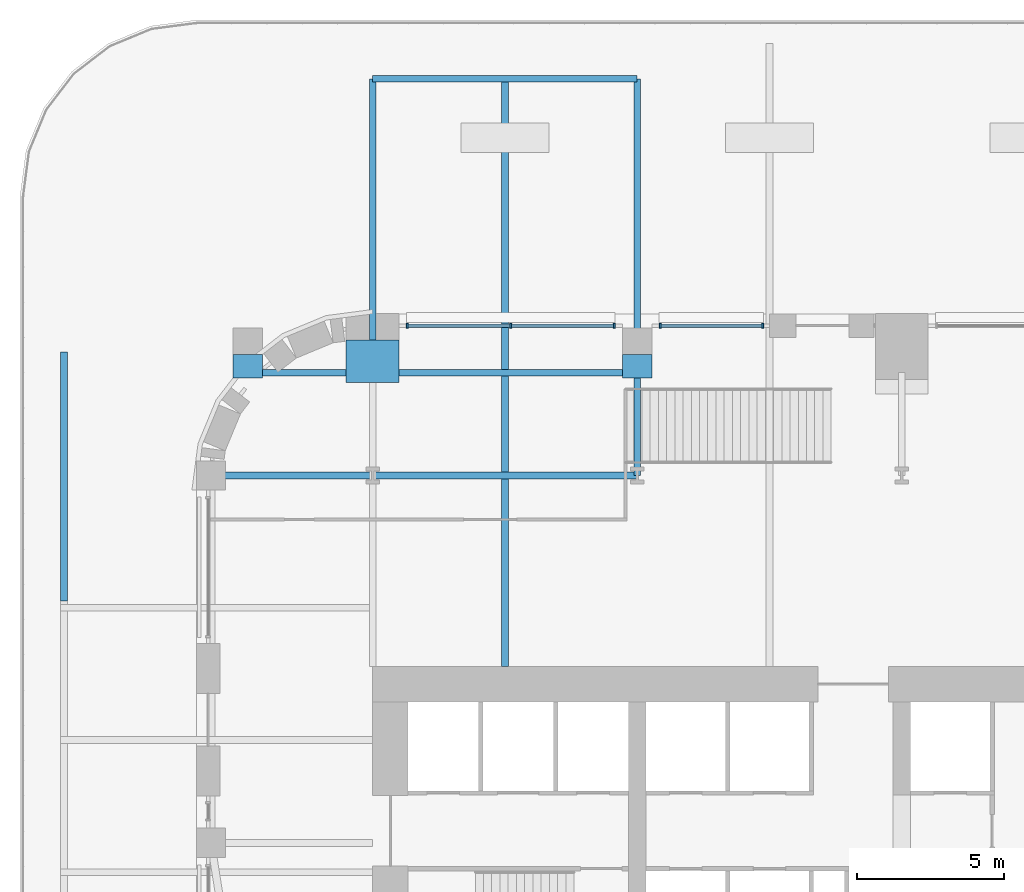
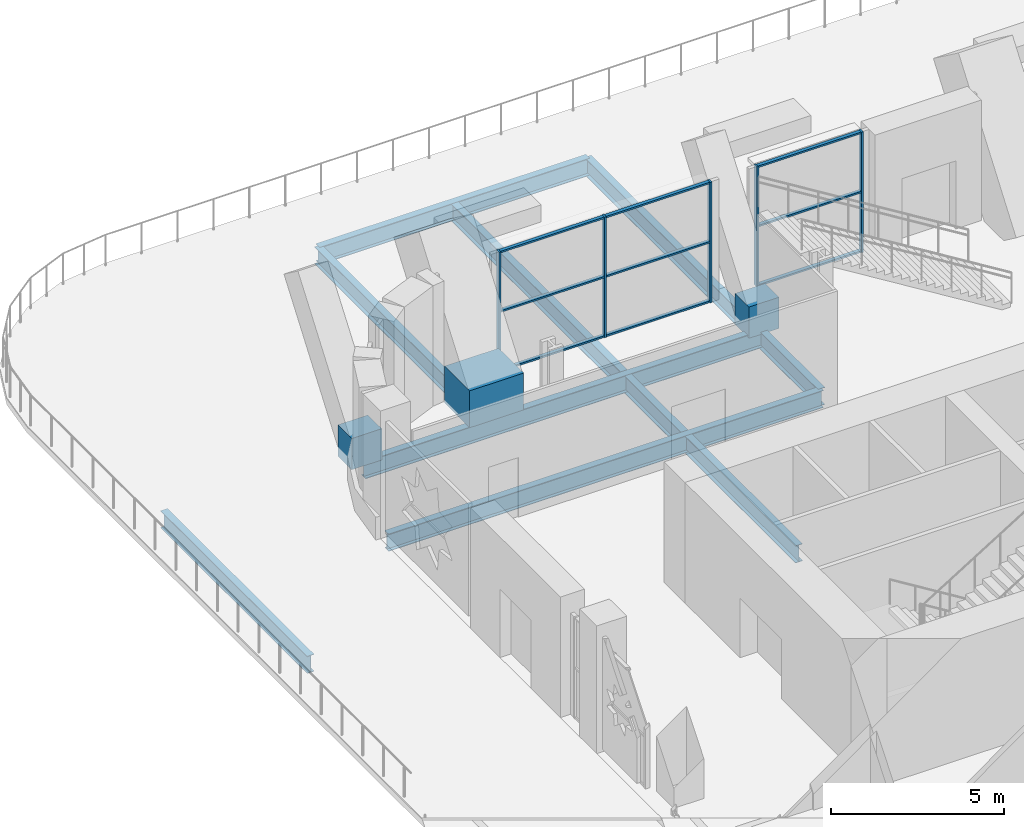
# One storey, part 7 of 26: 14 members, 10 beams, 2 elements without a shape of their own.
"""IFC4 building model written with IfcOpenShell, lengths in metres."""

from ifc_helpers import new_model, si_unit, direction, frame, origin, origin_2d, place, context, subcontext, project, spatial, rectangle, i_section, extrude, material, material_profile, profile_set, type_object, element, aggregate, save


model = new_model("IFC4")

# Units and contexts
model_context = context("Model", 3, precision=1e-05, world=origin(), true_north=direction((0.0, 1.0)))
body_context = subcontext(model_context, "Body", "Model", "MODEL_VIEW")
ifc_project = project(units=[si_unit("LENGTHUNIT", "METRE"), si_unit("AREAUNIT", "SQUARE_METRE"), si_unit("VOLUMEUNIT", "CUBIC_METRE"), si_unit("PLANEANGLEUNIT", "RADIAN"), si_unit("MASSUNIT", "GRAM", prefix="KILO")], contexts=[model_context])

# Site, building, storey
site_placement = place(None, origin())
site = spatial("IfcSite", under=ifc_project, at=site_placement, CompositionType="ELEMENT")
building_placement = place(site_placement, origin())
building = spatial("IfcBuilding", under=site, at=building_placement, Name="Zellij Exchange Tower", CompositionType="ELEMENT")
storey_placement = place(building_placement, frame((0.0, 0.0, 39.0)))
storey = spatial("IfcBuildingStorey", under=building, at=storey_placement, Name="L06", CompositionType="ELEMENT", Elevation=39.0)

# Curtain wall, members
ifc_material_1 = material(Name="Aluminium frame, clear insulating glass", Category="aluminium")
curtain_wall_type = type_object("IfcCurtainWallType", Name="ENV-CW1 Sky-garden glazing", PredefinedType="NOTDEFINED", material=ifc_material_1)
curtain_wall_1_placement = place(storey_placement, origin())
curtain_wall_1 = element("IfcCurtainWall", 1, at=curtain_wall_1_placement, inside=storey, type_object=curtain_wall_type, Name="cw.L06.14g", PredefinedType="NOTDEFINED")
ifc_material_2 = material(Name="Aluminium", Category="aluminium")
ifc_material_profile_1 = material_profile(ifc_material_2, rectangle(XDim=0.06005859375, YDim=0.159912109375, at=origin_2d()), Name="AL 60x160")
ifc_profile_set_1 = profile_set([ifc_material_profile_1], Name="Aluminium")
member_type_1 = type_object("IfcMemberType", Name="ENV-CW1M Mullion 60x160", PredefinedType="MULLION", material=ifc_profile_set_1)
member_1_placement = place(storey_placement, frame((-13.72998046875, 9.60009765625, 0.0), z_axis=(0.0, 0.0, 1.0), x_axis=(-1.0, 0.0, 0.0)))
member_1 = element("IfcMember", 2, at=member_1_placement, type_object=member_type_1, Name="CW1 mullion 1", PredefinedType="MULLION", context=body_context, shape_type="SweptSolid", body=[
    extrude(rectangle(XDim=0.06005859375, YDim=0.159912109375, at=origin_2d()), origin(), (0.0, 0.0, 1.0), 4.25),
])
member_2_placement = place(storey_placement, frame((-17.219970703125, 9.60009765625, 0.0), z_axis=(0.0, 0.0, 1.0), x_axis=(-1.0, 0.0, 0.0)))
member_2 = element("IfcMember", 3, at=member_2_placement, type_object=member_type_1, Name="CW1 mullion 2", PredefinedType="MULLION", context=body_context, shape_type="SweptSolid", body=[
    extrude(rectangle(XDim=0.06005859375, YDim=0.159912109375, at=origin_2d()), origin(), (0.0, 0.0, 1.0), 4.25),
])

curtain_wall_2_placement = place(storey_placement, origin())
curtain_wall_2 = element("IfcCurtainWall", 4, at=curtain_wall_2_placement, inside=storey, type_object=curtain_wall_type, Name="cw.L06.14h", PredefinedType="NOTDEFINED")
member_3_placement = place(storey_placement, frame((-18.780029296875, 9.60009765625, 0.0), z_axis=(0.0, 0.0, 1.0), x_axis=(-1.0, 0.0, 0.0)))
member_3 = element("IfcMember", 5, at=member_3_placement, type_object=member_type_1, Name="CW1 mullion 1", PredefinedType="MULLION", context=body_context, shape_type="SweptSolid", body=[
    extrude(rectangle(XDim=0.06005859375, YDim=0.159912109375, at=origin_2d()), origin(), (0.0, 0.0, 1.0), 4.25),
])
member_4_placement = place(storey_placement, frame((-22.300048828125, 9.60009765625, 0.0), z_axis=(0.0, 0.0, 1.0), x_axis=(-1.0, 0.0, 0.0)))
member_4 = element("IfcMember", 6, at=member_4_placement, type_object=member_type_1, Name="CW1 mullion 2", PredefinedType="MULLION", context=body_context, shape_type="SweptSolid", body=[
    extrude(rectangle(XDim=0.06005859375, YDim=0.159912109375, at=origin_2d()), origin(), (0.0, 0.0, 1.0), 4.25),
])
member_5_placement = place(storey_placement, frame((-25.820068359375, 9.60009765625, 0.0), z_axis=(0.0, 0.0, 1.0), x_axis=(-1.0, 0.0, 0.0)))
member_5 = element("IfcMember", 7, at=member_5_placement, type_object=member_type_1, Name="CW1 mullion 3", PredefinedType="MULLION", context=body_context, shape_type="SweptSolid", body=[
    extrude(rectangle(XDim=0.06005859375, YDim=0.159912109375, at=origin_2d()), origin(), (0.0, 0.0, 1.0), 4.25),
])

# Member
ifc_material_profile_2 = material_profile(ifc_material_2, rectangle(XDim=0.1201171875, YDim=0.06005859375, at=origin_2d()), Name="AL 120x60")
ifc_profile_set_2 = profile_set([ifc_material_profile_2], Name="Aluminium")
member_type_2 = type_object("IfcMemberType", Name="ENV-CW1T Transom 120x60", PredefinedType="USERDEFINED", material=ifc_profile_set_2)
member_6_placement = place(storey_placement, frame((-13.760009765625, 9.60009765625, 0.030029296875), z_axis=(-1.0, 0.0, 0.0), x_axis=(0.0, -1.0, 0.0)))
member_6 = element("IfcMember", 8, at=member_6_placement, type_object=member_type_2, Name="CW1 transom 1.1", ObjectType="TRANSOM", PredefinedType="USERDEFINED", context=body_context, shape_type="SweptSolid", body=[
    extrude(rectangle(XDim=0.1201171875, YDim=0.06005859375, at=origin_2d()), origin(), (0.0, 0.0, 1.0), 3.429931640625),
])

member_7_placement = place(storey_placement, frame((-13.760009765625, 9.60009765625, 2.125), z_axis=(-1.0, 0.0, 0.0), x_axis=(0.0, -1.0, 0.0)))
member_7 = element("IfcMember", 9, at=member_7_placement, type_object=member_type_2, Name="CW1 transom 1.2", ObjectType="TRANSOM", PredefinedType="USERDEFINED", context=body_context, shape_type="SweptSolid", body=[
    extrude(rectangle(XDim=0.1201171875, YDim=0.06005859375, at=origin_2d()), origin(), (0.0, 0.0, 1.0), 3.429931640625),
])

member_8_placement = place(storey_placement, frame((-13.760009765625, 9.60009765625, 4.219970703125), z_axis=(-1.0, 0.0, 0.0), x_axis=(0.0, -1.0, 0.0)))
member_8 = element("IfcMember", 10, at=member_8_placement, type_object=member_type_2, Name="CW1 transom 1.3", ObjectType="TRANSOM", PredefinedType="USERDEFINED", context=body_context, shape_type="SweptSolid", body=[
    extrude(rectangle(XDim=0.1201171875, YDim=0.06005859375, at=origin_2d()), origin(), (0.0, 0.0, 1.0), 3.429931640625),
])

aggregate(curtain_wall_1, [member_1, member_2, member_6, member_7, member_8])

member_9_placement = place(storey_placement, frame((-18.81005859375, 9.60009765625, 0.030029296875), z_axis=(-1.0, 0.0, 0.0), x_axis=(0.0, -1.0, 0.0)))
member_9 = element("IfcMember", 11, at=member_9_placement, type_object=member_type_2, Name="CW1 transom 1.1", ObjectType="TRANSOM", PredefinedType="USERDEFINED", context=body_context, shape_type="SweptSolid", body=[
    extrude(rectangle(XDim=0.1201171875, YDim=0.06005859375, at=origin_2d()), origin(), (0.0, 0.0, 1.0), 3.4599609375),
])

member_10_placement = place(storey_placement, frame((-18.81005859375, 9.60009765625, 2.125), z_axis=(-1.0, 0.0, 0.0), x_axis=(0.0, -1.0, 0.0)))
member_10 = element("IfcMember", 12, at=member_10_placement, type_object=member_type_2, Name="CW1 transom 1.2", ObjectType="TRANSOM", PredefinedType="USERDEFINED", context=body_context, shape_type="SweptSolid", body=[
    extrude(rectangle(XDim=0.1201171875, YDim=0.06005859375, at=origin_2d()), origin(), (0.0, 0.0, 1.0), 3.4599609375),
])

member_11_placement = place(storey_placement, frame((-18.81005859375, 9.60009765625, 4.219970703125), z_axis=(-1.0, 0.0, 0.0), x_axis=(0.0, -1.0, 0.0)))
member_11 = element("IfcMember", 13, at=member_11_placement, type_object=member_type_2, Name="CW1 transom 1.3", ObjectType="TRANSOM", PredefinedType="USERDEFINED", context=body_context, shape_type="SweptSolid", body=[
    extrude(rectangle(XDim=0.1201171875, YDim=0.06005859375, at=origin_2d()), origin(), (0.0, 0.0, 1.0), 3.4599609375),
])

member_12_placement = place(storey_placement, frame((-22.330078125, 9.60009765625, 0.030029296875), z_axis=(-1.0, 0.0, 0.0), x_axis=(0.0, -1.0, 0.0)))
member_12 = element("IfcMember", 14, at=member_12_placement, type_object=member_type_2, Name="CW1 transom 2.1", ObjectType="TRANSOM", PredefinedType="USERDEFINED", context=body_context, shape_type="SweptSolid", body=[
    extrude(rectangle(XDim=0.1201171875, YDim=0.06005859375, at=origin_2d()), origin(), (0.0, 0.0, 1.0), 3.4599609375),
])

member_13_placement = place(storey_placement, frame((-22.330078125, 9.60009765625, 2.125), z_axis=(-1.0, 0.0, 0.0), x_axis=(0.0, -1.0, 0.0)))
member_13 = element("IfcMember", 15, at=member_13_placement, type_object=member_type_2, Name="CW1 transom 2.2", ObjectType="TRANSOM", PredefinedType="USERDEFINED", context=body_context, shape_type="SweptSolid", body=[
    extrude(rectangle(XDim=0.1201171875, YDim=0.06005859375, at=origin_2d()), origin(), (0.0, 0.0, 1.0), 3.4599609375),
])

member_14_placement = place(storey_placement, frame((-22.330078125, 9.60009765625, 4.219970703125), z_axis=(-1.0, 0.0, 0.0), x_axis=(0.0, -1.0, 0.0)))
member_14 = element("IfcMember", 16, at=member_14_placement, type_object=member_type_2, Name="CW1 transom 2.3", ObjectType="TRANSOM", PredefinedType="USERDEFINED", context=body_context, shape_type="SweptSolid", body=[
    extrude(rectangle(XDim=0.1201171875, YDim=0.06005859375, at=origin_2d()), origin(), (0.0, 0.0, 1.0), 3.4599609375),
])

aggregate(curtain_wall_2, [member_3, member_4, member_5, member_9, member_10, member_11, member_12, member_13, member_14])

# Beams
ifc_material_3 = material(Name="Structural steel ASTM A992 Gr 50", Category="steel")
ifc_material_profile_3 = material_profile(ifc_material_3, i_section(OverallWidth=0.22900390625, OverallDepth=0.612060546875, WebThickness=0.011962890625, FlangeThickness=0.01953125, at=origin_2d()), Name="W24x84")
ifc_profile_set_3 = profile_set([ifc_material_profile_3], Name="Structural steel ASTM A992 Gr 50")
beam_type_1 = type_object("IfcBeamType", Name="STR-BEAM W24x84", PredefinedType="BEAM", material=ifc_profile_set_3)
beam_1_placement = place(storey_placement, frame((-22.5, -2.0, -0.55615234375), z_axis=(0.0, 1.0, 0.0), x_axis=(-1.0, 0.0, 0.0)))
element("IfcBeam", 17, at=beam_1_placement, inside=storey, type_object=beam_type_1, Name="B6", PredefinedType="BEAM", context=body_context, shape_type="SweptSolid", body=[
    extrude(i_section(OverallWidth=0.22900390625, OverallDepth=0.612060546875, WebThickness=0.011962890625, FlangeThickness=0.01953125, at=origin_2d()), origin(), (0.0, 0.0, 1.0), 20.114501953125),
])
ifc_material_profile_4 = material_profile(ifc_material_3, i_section(OverallWidth=0.22900390625, OverallDepth=0.612060546875, WebThickness=0.011962890625, FlangeThickness=0.01953125, at=origin_2d()), Name="W24x84")
ifc_profile_set_4 = profile_set([ifc_material_profile_4], Name="Structural steel ASTM A992 Gr 50")
beam_type_2 = type_object("IfcBeamType", Name="STR-GIRDER W24x84", PredefinedType="BEAM", material=ifc_profile_set_4)
beam_2_placement = place(storey_placement, frame((-32.5, 4.5, -0.55615234375), z_axis=(1.0, 0.0, 0.0), x_axis=(0.0, 1.0, 0.0)))
element("IfcBeam", 18, at=beam_2_placement, inside=storey, type_object=beam_type_2, Name="G4", PredefinedType="BEAM", context=body_context, shape_type="SweptSolid", body=[
    extrude(i_section(OverallWidth=0.22900390625, OverallDepth=0.612060546875, WebThickness=0.011962890625, FlangeThickness=0.01953125, at=origin_2d()), origin(), (0.0, 0.0, 1.0), 14.5),
])
beam_3_placement = place(storey_placement, frame((-31.25, 8.0, -0.55615234375), z_axis=(1.0, 0.0, 0.0), x_axis=(0.0, 1.0, 0.0)))
element("IfcBeam", 19, at=beam_3_placement, inside=storey, type_object=beam_type_2, Name="G4", PredefinedType="BEAM", context=body_context, shape_type="SweptSolid", body=[
    extrude(i_section(OverallWidth=0.22900390625, OverallDepth=0.612060546875, WebThickness=0.011962890625, FlangeThickness=0.01953125, at=origin_2d()), origin(), (0.0, 0.0, 1.0), 13.25),
])
beam_4_placement = place(storey_placement, frame((-27.0, 18.0, -0.55615234375), z_axis=(1.0, 0.0, 0.0), x_axis=(0.0, 1.0, 0.0)))
element("IfcBeam", 20, at=beam_4_placement, inside=storey, type_object=beam_type_2, Name="G4", PredefinedType="BEAM", context=body_context, shape_type="SweptSolid", body=[
    extrude(i_section(OverallWidth=0.22900390625, OverallDepth=0.612060546875, WebThickness=0.011962890625, FlangeThickness=0.01953125, at=origin_2d()), origin(), (0.0, 0.0, 1.0), 9.0),
])
beam_5_placement = place(storey_placement, frame((-37.5, 0.236083984375, -0.55615234375), z_axis=(0.0, 1.0, 0.0), x_axis=(-1.0, 0.0, 0.0)))
element("IfcBeam", 21, at=beam_5_placement, inside=storey, type_object=beam_type_2, Name="G4", PredefinedType="BEAM", context=body_context, shape_type="SweptSolid", body=[
    extrude(i_section(OverallWidth=0.22900390625, OverallDepth=0.612060546875, WebThickness=0.011962890625, FlangeThickness=0.01953125, at=origin_2d()), origin(), (0.0, 0.0, 1.0), 8.472900390625),
])
beam_6_placement = place(storey_placement, frame((-27.0, 8.0, -0.55615234375), z_axis=(0.0, 1.0, 0.0), x_axis=(-1.0, 0.0, 0.0)))
element("IfcBeam", 22, at=beam_6_placement, inside=storey, type_object=beam_type_2, Name="G4", PredefinedType="BEAM", context=body_context, shape_type="SweptSolid", body=[
    extrude(i_section(OverallWidth=0.22900390625, OverallDepth=0.612060546875, WebThickness=0.011962890625, FlangeThickness=0.01953125, at=origin_2d()), origin(), (0.0, 0.0, 1.0), 10.0),
])
beam_7_placement = place(storey_placement, frame((-18.0, 4.5, -0.55615234375), z_axis=(0.0, 1.0, 0.0), x_axis=(-1.0, 0.0, 0.0)))
element("IfcBeam", 23, at=beam_7_placement, inside=storey, type_object=beam_type_2, Name="G4", PredefinedType="BEAM", context=body_context, shape_type="SweptSolid", body=[
    extrude(i_section(OverallWidth=0.22900390625, OverallDepth=0.612060546875, WebThickness=0.011962890625, FlangeThickness=0.01953125, at=origin_2d()), origin(), (0.0, 0.0, 1.0), 13.5),
])
ifc_material_4 = material(Name="Concrete C70/85", Category="concrete")
ifc_material_profile_5 = material_profile(ifc_material_4, rectangle(XDim=1.0, YDim=1.10009765625, at=origin_2d()), Name="STR-KNUCKLE BLOCK RC1000x1100 C70/85")
ifc_profile_set_5 = profile_set([ifc_material_profile_5], Name="Concrete C70/85")
beam_type_3 = type_object("IfcBeamType", Name="STR-KNUCKLE BLOCK RC1000x1100 C70/85", PredefinedType="BEAM", material=ifc_profile_set_5)
for number, where, z_axis, x_axis, name in (
    (24, (-31.25, 7.818603515625, 0.22509765625), (0.0, 1.0, 0.0), (-1.0, 0.0, 0.0), "KB4"),
    (25, (-18.0, 7.818603515625, 0.22509765625), (0.0, 1.0, 0.0), (-1.0, 0.0, 0.0), "KB4"),
):
    element("IfcBeam", number, at=place(storey_placement, frame(where, z_axis=z_axis, x_axis=x_axis)), inside=storey, type_object=beam_type_3, Name=name, PredefinedType="BEAM", context=body_context, shape_type="SweptSolid", body=[
        extrude(rectangle(XDim=1.0, YDim=1.10009765625, at=origin_2d()), origin(), (0.0, 0.0, 1.0), 0.8037109375),
    ])
ifc_material_profile_6 = material_profile(ifc_material_4, rectangle(XDim=1.800048828125, YDim=1.300048828125, at=origin_2d()), Name="STR-KNUCKLE BLOCK RC1800x1300 C70/85")
ifc_profile_set_6 = profile_set([ifc_material_profile_6], Name="Concrete C70/85")
beam_type_4 = type_object("IfcBeamType", Name="STR-KNUCKLE BLOCK RC1800x1300 C70/85", PredefinedType="BEAM", material=ifc_profile_set_6)
beam_8_placement = place(storey_placement, frame((-27.0, 7.673583984375, 0.550048828125), z_axis=(0.0, 1.0, 0.0), x_axis=(-1.0, 0.0, 0.0)))
element("IfcBeam", 26, at=beam_8_placement, inside=storey, type_object=beam_type_4, Name="KB9", PredefinedType="BEAM", context=body_context, shape_type="SweptSolid", body=[
    extrude(rectangle(XDim=1.800048828125, YDim=1.300048828125, at=origin_2d()), origin(), (0.0, 0.0, 1.0), 1.446533203125),
])

save(model, "model.ifc")
